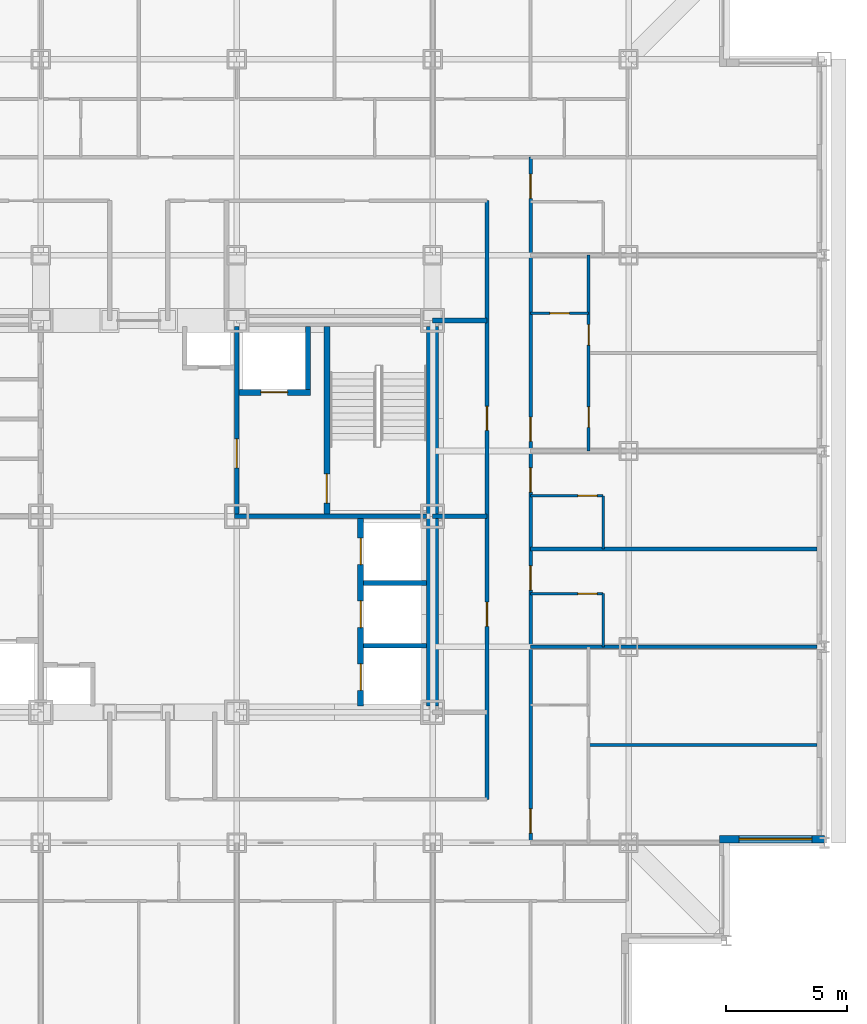
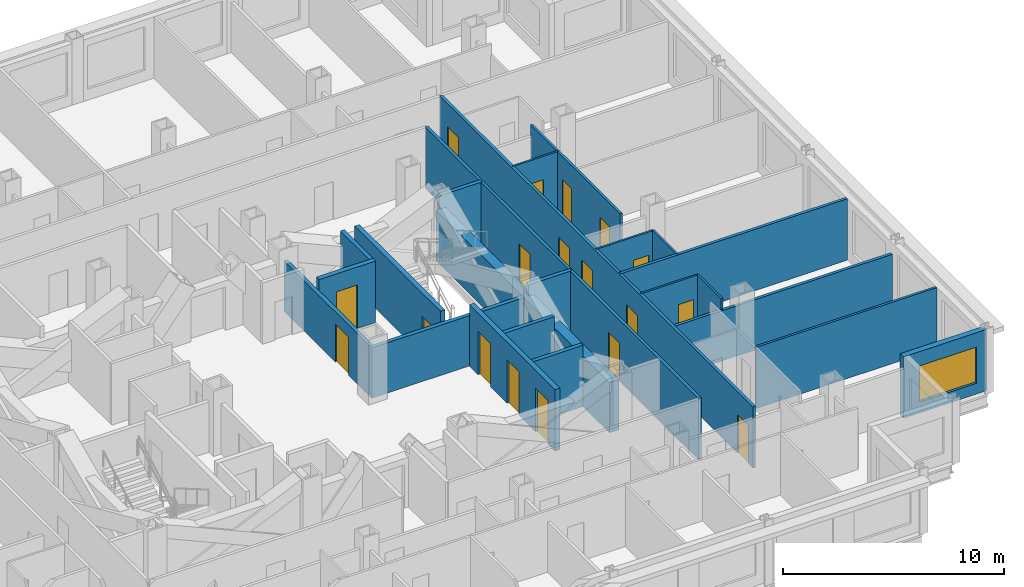
# One storey, part 8 of 12: 23 walls, 18 doors, 1 window, 19 openings.
"""IFC4 building model written with IfcOpenShell, lengths in metres."""

from ifc_helpers import new_model, si_unit, direction, frame, frame_2d, origin, place, context, subcontext, project, spatial, rectangle, extrude, material, layer, layer_set, type_object, element, fill, save


model = new_model("IFC4")

# Units and contexts
model_context = context("Model", 3, precision=1e-05, world=origin(), true_north=direction((0.0, 1.0)))
body_context = subcontext(model_context, "Body", "Model", "MODEL_VIEW")
ifc_project = project(units=[si_unit("LENGTHUNIT", "METRE"), si_unit("AREAUNIT", "SQUARE_METRE"), si_unit("VOLUMEUNIT", "CUBIC_METRE"), si_unit("PLANEANGLEUNIT", "RADIAN"), si_unit("MASSUNIT", "GRAM", prefix="KILO")], contexts=[model_context])

# Site, building, storey
site_placement = place(None, origin())
site = spatial("IfcSite", under=ifc_project, at=site_placement, CompositionType="ELEMENT")
building_placement = place(site_placement, origin())
building = spatial("IfcBuilding", under=site, at=building_placement, Name="Kopane Lantern Tower", CompositionType="ELEMENT")
storey_placement = place(building_placement, frame((0.0, 0.0, 188.39990234375)))
storey = spatial("IfcBuildingStorey", under=building, at=storey_placement, Name="L48", CompositionType="ELEMENT", Elevation=188.39990234375)

# Wall
ifc_material_1 = material(Name="Gypsum board on steel studs", Category="steel")
ifc_layer_1 = layer(ifc_material_1, 0.1201171875)
ifc_layer_set_1 = layer_set([ifc_layer_1], Name="APARTMENT INTERNAL WALL 120")
wall_type_1 = type_object("IfcWallType", Name="APARTMENT INTERNAL WALL 120", PredefinedType="PARTITIONING", material=ifc_layer_set_1)
wall_1_placement = place(storey_placement, frame((46.949951171875, 22.949951171875, 0.0), z_axis=(0.0, 0.0, 1.0), x_axis=(1.0, 0.0, 0.0)))
element("IfcWall", 1, at=wall_1_placement, inside=storey, type_object=wall_type_1, Name="Apartment Internal Wall 120 L48", PredefinedType="PARTITIONING", context=body_context, shape_type="SweptSolid", body=[
    extrude(rectangle(XDim=9.449951171875, YDim=0.1201171875, at=frame_2d((4.72509765625, 0.0))), origin(), (0.0, 0.0, 1.0), 3.39013671875),
])

# Wall, openings, doors
wall_2_placement = place(storey_placement, frame((46.949951171875, 35.10009765625, 0.0), z_axis=(0.0, 0.0, 1.0), x_axis=(0.0, 1.0, 0.0)))
wall_2 = element("IfcWall", 2, at=wall_2_placement, inside=storey, type_object=wall_type_1, Name="Apartment Internal Wall 120 L48", PredefinedType="PARTITIONING", context=body_context, shape_type="SweptSolid", body=[
    extrude(rectangle(XDim=8.099853515625, YDim=0.1201171875, at=frame_2d((4.0498046875, 0.0))), origin(), (0.0, 0.0, 1.0), 3.39013671875),
])
opening_1_placement = place(wall_2_placement, frame((0.97509765625, 0.0, 0.0)))
opening_1 = element("IfcOpeningElement", 3, at=opening_1_placement, cuts=wall_2, Name="Opening L48-056", PredefinedType="OPENING", context=body_context, shape_type="SweptSolid", body=[
    extrude(rectangle(XDim=0.85009765625, YDim=2.10009765625, at=frame_2d((0.425048828125, 1.050048828125))), frame((0.0, 0.070068359375, 0.0), z_axis=(0.0, -1.0, 0.0), x_axis=(1.0, 0.0, 0.0)), (0.0, 0.0, 1.0), 0.14013671875),
])
opening_2_placement = place(wall_2_placement, frame((4.375, 0.0, 0.0)))
opening_2 = element("IfcOpeningElement", 4, at=opening_2_placement, cuts=wall_2, Name="Opening L48-057", PredefinedType="OPENING", context=body_context, shape_type="SweptSolid", body=[
    extrude(rectangle(XDim=0.85009765625, YDim=2.10009765625, at=frame_2d((0.425048828125, 1.050048828125))), frame((0.0, 0.070068359375, 0.0), z_axis=(0.0, -1.0, 0.0), x_axis=(1.0, 0.0, 0.0)), (0.0, 0.0, 1.0), 0.14013671875),
])
ifc_material_2 = material(Name="Timber door set", Category="wood")
door_type_1 = type_object("IfcDoorType", Name="DOOR D4 850x2100", OperationType="SINGLE_SWING_LEFT", PredefinedType="DOOR", material=ifc_material_2)
door_1_placement = place(opening_1_placement, origin())
door_1 = element("IfcDoor", 5, at=door_1_placement, inside=storey, type_object=door_type_1, Name="Door L48-056", OperationType="SINGLE_SWING_LEFT", OverallHeight=2.10009765625, OverallWidth=0.85009765625, PredefinedType="DOOR", context=body_context, shape_type="SweptSolid", body=[
    extrude(rectangle(XDim=0.85009765625, YDim=2.10009765625, at=frame_2d((0.425048828125, 1.050048828125))), frame((0.0, 0.02490234375, 0.0), z_axis=(0.0, -1.0, 0.0), x_axis=(1.0, 0.0, 0.0)), (0.0, 0.0, 1.0), 0.050048828125),
])
fill(opening_1, door_1)
door_2_placement = place(opening_2_placement, origin())
door_2 = element("IfcDoor", 6, at=door_2_placement, inside=storey, type_object=door_type_1, Name="Door L48-057", OperationType="SINGLE_SWING_RIGHT", OverallHeight=2.10009765625, OverallWidth=0.85009765625, PredefinedType="DOOR", context=body_context, shape_type="SweptSolid", body=[
    extrude(rectangle(XDim=0.85009765625, YDim=2.10009765625, at=frame_2d((0.425048828125, 1.050048828125))), frame((0.0, 0.02490234375, 0.0), z_axis=(0.0, -1.0, 0.0), x_axis=(1.0, 0.0, 0.0)), (0.0, 0.0, 1.0), 0.050048828125),
])
fill(opening_2, door_2)

# Wall
ifc_material_3 = material(Name="Moisture-resistant board on steel studs", Category="steel")
ifc_layer_2 = layer(ifc_material_3, 0.10009765625)
ifc_layer_set_2 = layer_set([ifc_layer_2], Name="BATHROOM WALL 100")
wall_type_2 = type_object("IfcWallType", Name="BATHROOM WALL 100", PredefinedType="PARTITIONING", material=ifc_layer_set_2)
wall_3_placement = place(storey_placement, frame((47.550048828125, 27.0, 0.0), z_axis=(0.0, 0.0, 1.0), x_axis=(0.0, 1.0, 0.0)))
element("IfcWall", 7, at=wall_3_placement, inside=storey, type_object=wall_type_2, Name="Bathroom Wall 100 L48", PredefinedType="PARTITIONING", context=body_context, shape_type="SweptSolid", body=[
    extrude(rectangle(XDim=2.199951171875, YDim=0.10009765625, at=frame_2d((1.10009765625, 0.0))), origin(), (0.0, 0.0, 1.0), 3.39013671875),
])

# Wall, opening, door
wall_4_placement = place(storey_placement, frame((44.550048828125, 29.199951171875, 0.0), z_axis=(0.0, 0.0, 1.0), x_axis=(1.0, 0.0, 0.0)))
wall_4 = element("IfcWall", 8, at=wall_4_placement, inside=storey, type_object=wall_type_2, Name="Bathroom Wall 100 L48", PredefinedType="PARTITIONING", context=body_context, shape_type="SweptSolid", body=[
    extrude(rectangle(XDim=3.0, YDim=0.10009765625, at=frame_2d((1.5, 0.0))), origin(), (0.0, 0.0, 1.0), 3.39013671875),
])
opening_3_placement = place(wall_4_placement, frame((1.949951171875, 0.0, 0.0)))
opening_3 = element("IfcOpeningElement", 9, at=opening_3_placement, cuts=wall_4, Name="Opening L48-050", PredefinedType="OPENING", context=body_context, shape_type="SweptSolid", body=[
    extrude(rectangle(XDim=0.800048828125, YDim=2.10009765625, at=frame_2d((0.39990234375, 1.050048828125))), frame((0.0, 0.06005859375, 0.0), z_axis=(0.0, -1.0, 0.0), x_axis=(1.0, 0.0, 0.0)), (0.0, 0.0, 1.0), 0.1201171875),
])
ifc_material_4 = material(Name="Timber door set", Category="wood")
door_type_2 = type_object("IfcDoorType", Name="DOOR D2 800x2100", OperationType="SINGLE_SWING_LEFT", PredefinedType="DOOR", material=ifc_material_4)
door_3_placement = place(opening_3_placement, origin())
door_3 = element("IfcDoor", 10, at=door_3_placement, inside=storey, type_object=door_type_2, Name="Door L48-050", OperationType="SINGLE_SWING_LEFT", OverallHeight=2.10009765625, OverallWidth=0.800048828125, PredefinedType="DOOR", context=body_context, shape_type="SweptSolid", body=[
    extrude(rectangle(XDim=0.800048828125, YDim=2.10009765625, at=frame_2d((0.39990234375, 1.050048828125))), frame((0.0, 0.02490234375, 0.0), z_axis=(0.0, -1.0, 0.0), x_axis=(1.0, 0.0, 0.0)), (0.0, 0.0, 1.0), 0.050048828125),
])
fill(opening_3, door_3)

# Wall
wall_5_placement = place(storey_placement, frame((47.550048828125, 31.050048828125, 0.0), z_axis=(0.0, 0.0, 1.0), x_axis=(0.0, 1.0, 0.0)))
element("IfcWall", 11, at=wall_5_placement, inside=storey, type_object=wall_type_2, Name="Bathroom Wall 100 L48", PredefinedType="PARTITIONING", context=body_context, shape_type="SweptSolid", body=[
    extrude(rectangle(XDim=2.199951171875, YDim=0.10009765625, at=frame_2d((1.10009765625, 0.0))), origin(), (0.0, 0.0, 1.0), 3.39013671875),
])

# Wall, opening, door
wall_6_placement = place(storey_placement, frame((44.550048828125, 33.25, 0.0), z_axis=(0.0, 0.0, 1.0), x_axis=(1.0, 0.0, 0.0)))
wall_6 = element("IfcWall", 12, at=wall_6_placement, inside=storey, type_object=wall_type_2, Name="Bathroom Wall 100 L48", PredefinedType="PARTITIONING", context=body_context, shape_type="SweptSolid", body=[
    extrude(rectangle(XDim=3.0, YDim=0.10009765625, at=frame_2d((1.5, 0.0))), origin(), (0.0, 0.0, 1.0), 3.39013671875),
])
opening_4_placement = place(wall_6_placement, frame((1.949951171875, 0.0, 0.0)))
opening_4 = element("IfcOpeningElement", 13, at=opening_4_placement, cuts=wall_6, Name="Opening L48-052", PredefinedType="OPENING", context=body_context, shape_type="SweptSolid", body=[
    extrude(rectangle(XDim=0.800048828125, YDim=2.10009765625, at=frame_2d((0.39990234375, 1.050048828125))), frame((0.0, 0.06005859375, 0.0), z_axis=(0.0, -1.0, 0.0), x_axis=(1.0, 0.0, 0.0)), (0.0, 0.0, 1.0), 0.1201171875),
])
door_4_placement = place(opening_4_placement, origin())
door_4 = element("IfcDoor", 14, at=door_4_placement, inside=storey, type_object=door_type_2, Name="Door L48-052", OperationType="SINGLE_SWING_LEFT", OverallHeight=2.10009765625, OverallWidth=0.800048828125, PredefinedType="DOOR", context=body_context, shape_type="SweptSolid", body=[
    extrude(rectangle(XDim=0.800048828125, YDim=2.10009765625, at=frame_2d((0.39990234375, 1.050048828125))), frame((0.0, 0.02490234375, 0.0), z_axis=(0.0, -1.0, 0.0), x_axis=(1.0, 0.0, 0.0)), (0.0, 0.0, 1.0), 0.050048828125),
])
fill(opening_4, door_4)

wall_7_placement = place(storey_placement, frame((44.550048828125, 40.800048828125, 0.0), z_axis=(0.0, 0.0, 1.0), x_axis=(1.0, 0.0, 0.0)))
wall_7 = element("IfcWall", 15, at=wall_7_placement, inside=storey, type_object=wall_type_2, Name="Bathroom Wall 100 L48", PredefinedType="PARTITIONING", context=body_context, shape_type="SweptSolid", body=[
    extrude(rectangle(XDim=2.39990234375, YDim=0.10009765625, at=frame_2d((1.199951171875, 0.0))), origin(), (0.0, 0.0, 1.0), 3.39013671875),
])
opening_5_placement = place(wall_7_placement, frame((0.800048828125, 0.0, 0.0)))
opening_5 = element("IfcOpeningElement", 16, at=opening_5_placement, cuts=wall_7, Name="Opening L48-054", PredefinedType="OPENING", context=body_context, shape_type="SweptSolid", body=[
    extrude(rectangle(XDim=0.800048828125, YDim=2.10009765625, at=frame_2d((0.39990234375, 1.050048828125))), frame((0.0, 0.06005859375, 0.0), z_axis=(0.0, -1.0, 0.0), x_axis=(1.0, 0.0, 0.0)), (0.0, 0.0, 1.0), 0.1201171875),
])
door_5_placement = place(opening_5_placement, origin())
door_5 = element("IfcDoor", 17, at=door_5_placement, inside=storey, type_object=door_type_2, Name="Door L48-054", OperationType="SINGLE_SWING_LEFT", OverallHeight=2.10009765625, OverallWidth=0.800048828125, PredefinedType="DOOR", context=body_context, shape_type="SweptSolid", body=[
    extrude(rectangle(XDim=0.800048828125, YDim=2.10009765625, at=frame_2d((0.39990234375, 1.050048828125))), frame((0.0, 0.02490234375, 0.0), z_axis=(0.0, -1.0, 0.0), x_axis=(1.0, 0.0, 0.0)), (0.0, 0.0, 1.0), 0.050048828125),
])
fill(opening_5, door_5)

# Wall
ifc_material_5 = material(Name="Gypsum shaft wall EI 120", Category="gypsum")
ifc_layer_3 = layer(ifc_material_5, 0.5)
ifc_layer_set_3 = layer_set([ifc_layer_3], Name="CORE PERIMETER WALL 500 EI 120")
wall_type_3 = type_object("IfcWallType", Name="CORE PERIMETER WALL 500 EI 120", PredefinedType="SOLIDWALL", material=ifc_layer_set_3)
wall_8_placement = place(storey_placement, frame((40.5, 24.550048828125, 0.0), z_axis=(0.0, 0.0, 1.0), x_axis=(0.0, 1.0, 0.0)))
element("IfcWall", 18, at=wall_8_placement, inside=storey, type_object=wall_type_3, Name="Core shaft wall L48 PE", PredefinedType="SOLIDWALL", context=body_context, shape_type="SweptSolid", body=[
    extrude(rectangle(XDim=15.699951171875, YDim=0.5, at=frame_2d((7.85009765625, 0.0))), origin(), (0.0, 0.0, 1.0), 2.77783203125),
])

# Wall, openings, doors
ifc_material_6 = material(Name="Gypsum shaft wall EI 120", Category="gypsum")
ifc_layer_4 = layer(ifc_material_6, 0.25)
ifc_layer_set_4 = layer_set([ifc_layer_4], Name="CORE SHAFT WALL 250 EI 120")
wall_type_4 = type_object("IfcWallType", Name="CORE SHAFT WALL 250 EI 120", PredefinedType="SOLIDWALL", material=ifc_layer_set_4)
wall_9_placement = place(storey_placement, frame((37.52490234375, 24.550048828125, 0.0), z_axis=(0.0, 0.0, 1.0), x_axis=(0.0, 1.0, 0.0)))
wall_9 = element("IfcWall", 19, at=wall_9_placement, inside=storey, type_object=wall_type_4, Name="Core shaft wall L48 XLR", PredefinedType="SOLIDWALL", context=body_context, shape_type="SweptSolid", body=[
    extrude(rectangle(XDim=7.75, YDim=0.25, at=frame_2d((3.875, 0.0))), origin(), (0.0, 0.0, 1.0), 3.39013671875),
])
opening_6_placement = place(wall_9_placement, frame((0.64990234375, 0.0, 0.0)))
opening_6 = element("IfcOpeningElement", 20, at=opening_6_placement, cuts=wall_9, Name="Opening 48.LD-LR1", PredefinedType="OPENING", context=body_context, shape_type="SweptSolid", body=[
    extrude(rectangle(XDim=1.10009765625, YDim=2.39990234375, at=frame_2d((0.550048828125, 1.199951171875))), frame((0.0, 0.135009765625, 0.0), z_axis=(0.0, -1.0, 0.0), x_axis=(1.0, 0.0, 0.0)), (0.0, 0.0, 1.0), 0.27001953125),
])
opening_7_placement = place(wall_9_placement, frame((3.25, 0.0, 0.0)))
opening_7 = element("IfcOpeningElement", 21, at=opening_7_placement, cuts=wall_9, Name="Opening 48.LD-LR2", PredefinedType="OPENING", context=body_context, shape_type="SweptSolid", body=[
    extrude(rectangle(XDim=1.10009765625, YDim=2.39990234375, at=frame_2d((0.550048828125, 1.199951171875))), frame((0.0, 0.135009765625, 0.0), z_axis=(0.0, -1.0, 0.0), x_axis=(1.0, 0.0, 0.0)), (0.0, 0.0, 1.0), 0.27001953125),
])
opening_8_placement = place(wall_9_placement, frame((5.85009765625, 0.0, 0.0)))
opening_8 = element("IfcOpeningElement", 22, at=opening_8_placement, cuts=wall_9, Name="Opening 48.LD-LR3", PredefinedType="OPENING", context=body_context, shape_type="SweptSolid", body=[
    extrude(rectangle(XDim=1.10009765625, YDim=2.39990234375, at=frame_2d((0.550048828125, 1.199951171875))), frame((0.0, 0.135009765625, 0.0), z_axis=(0.0, -1.0, 0.0), x_axis=(1.0, 0.0, 0.0)), (0.0, 0.0, 1.0), 0.27001953125),
])
ifc_material_7 = material(Name="Steel door set", Category="steel")
door_type_3 = type_object("IfcDoorType", Name="LIFT LANDING DOOR 1100x2400 FD60", OperationType="DOUBLE_DOOR_SLIDING", PredefinedType="DOOR", material=ifc_material_7)
door_6_placement = place(opening_6_placement, origin())
door_6 = element("IfcDoor", 23, at=door_6_placement, inside=storey, type_object=door_type_3, Name="Landing door LR1 L48", OperationType="DOUBLE_DOOR_SLIDING", OverallHeight=2.39990234375, OverallWidth=1.10009765625, PredefinedType="DOOR", context=body_context, shape_type="SweptSolid", body=[
    extrude(rectangle(XDim=1.10009765625, YDim=2.39990234375, at=frame_2d((0.550048828125, 1.199951171875))), frame((0.0, 0.02490234375, 0.0), z_axis=(0.0, -1.0, 0.0), x_axis=(1.0, 0.0, 0.0)), (0.0, 0.0, 1.0), 0.050048828125),
])
fill(opening_6, door_6)
door_7_placement = place(opening_7_placement, origin())
door_7 = element("IfcDoor", 24, at=door_7_placement, inside=storey, type_object=door_type_3, Name="Landing door LR2 L48", OperationType="DOUBLE_DOOR_SLIDING", OverallHeight=2.39990234375, OverallWidth=1.10009765625, PredefinedType="DOOR", context=body_context, shape_type="SweptSolid", body=[
    extrude(rectangle(XDim=1.10009765625, YDim=2.39990234375, at=frame_2d((0.550048828125, 1.199951171875))), frame((0.0, 0.02490234375, 0.0), z_axis=(0.0, -1.0, 0.0), x_axis=(1.0, 0.0, 0.0)), (0.0, 0.0, 1.0), 0.050048828125),
])
fill(opening_7, door_7)
door_8_placement = place(opening_8_placement, origin())
door_8 = element("IfcDoor", 25, at=door_8_placement, inside=storey, type_object=door_type_3, Name="Landing door LR3 L48", OperationType="DOUBLE_DOOR_SLIDING", OverallHeight=2.39990234375, OverallWidth=1.10009765625, PredefinedType="DOOR", context=body_context, shape_type="SweptSolid", body=[
    extrude(rectangle(XDim=1.10009765625, YDim=2.39990234375, at=frame_2d((0.550048828125, 1.199951171875))), frame((0.0, 0.02490234375, 0.0), z_axis=(0.0, -1.0, 0.0), x_axis=(1.0, 0.0, 0.0)), (0.0, 0.0, 1.0), 0.050048828125),
])
fill(opening_8, door_8)

# Wall, opening, door
wall_10_placement = place(storey_placement, frame((36.125, 32.5, 0.0), z_axis=(0.0, 0.0, 1.0), x_axis=(0.0, 1.0, 0.0)))
wall_10 = element("IfcWall", 26, at=wall_10_placement, inside=storey, type_object=wall_type_4, Name="Core shaft wall L48 XST2", PredefinedType="SOLIDWALL", context=body_context, shape_type="SweptSolid", body=[
    extrude(rectangle(XDim=7.75, YDim=0.25, at=frame_2d((3.875, 0.0))), origin(), (0.0, 0.0, 1.0), 3.39013671875),
])
opening_9_placement = place(wall_10_placement, frame((0.449951171875, 0.0, 0.0)))
opening_9 = element("IfcOpeningElement", 27, at=opening_9_placement, cuts=wall_10, Name="Opening 48.SD2", PredefinedType="OPENING", context=body_context, shape_type="SweptSolid", body=[
    extrude(rectangle(XDim=1.199951171875, YDim=2.10009765625, at=frame_2d((0.60009765625, 1.050048828125))), frame((0.0, 0.135009765625, 0.0), z_axis=(0.0, -1.0, 0.0), x_axis=(1.0, 0.0, 0.0)), (0.0, 0.0, 1.0), 0.27001953125),
])
ifc_material_8 = material(Name="Steel door set", Category="steel")
door_type_4 = type_object("IfcDoorType", Name="STAIR DOOR 1200x2100 FD60S", OperationType="SINGLE_SWING_LEFT", PredefinedType="DOOR", material=ifc_material_8)
door_9_placement = place(opening_9_placement, origin())
door_9 = element("IfcDoor", 28, at=door_9_placement, inside=storey, type_object=door_type_4, Name="Stair door ST2 L48", OperationType="SINGLE_SWING_RIGHT", OverallHeight=2.10009765625, OverallWidth=1.199951171875, PredefinedType="DOOR", context=body_context, shape_type="SweptSolid", body=[
    extrude(rectangle(XDim=1.199951171875, YDim=2.10009765625, at=frame_2d((0.60009765625, 1.050048828125))), frame((0.0, 0.02490234375, 0.0), z_axis=(0.0, -1.0, 0.0), x_axis=(1.0, 0.0, 0.0)), (0.0, 0.0, 1.0), 0.050048828125),
])
fill(opening_9, door_9)

wall_11_placement = place(storey_placement, frame((32.5, 37.52490234375, 0.0), z_axis=(0.0, 0.0, 1.0), x_axis=(1.0, 0.0, 0.0)))
wall_11 = element("IfcWall", 29, at=wall_11_placement, inside=storey, type_object=wall_type_4, Name="Core shaft wall L48 YLF2", PredefinedType="SOLIDWALL", context=body_context, shape_type="SweptSolid", body=[
    extrude(rectangle(XDim=2.949951171875, YDim=0.25, at=frame_2d((1.47509765625, 0.0))), origin(), (0.0, 0.0, 1.0), 3.39013671875),
])
opening_10_placement = place(wall_11_placement, frame((0.89990234375, 0.0, 0.0)))
opening_10 = element("IfcOpeningElement", 30, at=opening_10_placement, cuts=wall_11, Name="Opening 48.LD-LF2", PredefinedType="OPENING", context=body_context, shape_type="SweptSolid", body=[
    extrude(rectangle(XDim=1.10009765625, YDim=2.39990234375, at=frame_2d((0.550048828125, 1.199951171875))), frame((0.0, 0.135009765625, 0.0), z_axis=(0.0, -1.0, 0.0), x_axis=(1.0, 0.0, 0.0)), (0.0, 0.0, 1.0), 0.27001953125),
])
door_10_placement = place(opening_10_placement, origin())
door_10 = element("IfcDoor", 31, at=door_10_placement, inside=storey, type_object=door_type_3, Name="Landing door LF2 L48", OperationType="DOUBLE_DOOR_SLIDING", OverallHeight=2.39990234375, OverallWidth=1.10009765625, PredefinedType="DOOR", context=body_context, shape_type="SweptSolid", body=[
    extrude(rectangle(XDim=1.10009765625, YDim=2.39990234375, at=frame_2d((0.550048828125, 1.199951171875))), frame((0.0, 0.02490234375, 0.0), z_axis=(0.0, -1.0, 0.0), x_axis=(1.0, 0.0, 0.0)), (0.0, 0.0, 1.0), 0.050048828125),
])
fill(opening_10, door_10)

# Wall, openings, doors
ifc_material_9 = material(Name="Gypsum board on steel studs", Category="steel")
ifc_layer_5 = layer(ifc_material_9, 0.14990234375)
ifc_layer_set_5 = layer_set([ifc_layer_5], Name="CORRIDOR WALL 150 EI 60")
wall_type_5 = type_object("IfcWallType", Name="CORRIDOR WALL 150 EI 60", PredefinedType="PARTITIONING", material=ifc_layer_set_5)
wall_12_placement = place(storey_placement, frame((44.550048828125, 18.89990234375, 0.0), z_axis=(0.0, 0.0, 1.0), x_axis=(0.0, 1.0, 0.0)))
wall_12 = element("IfcWall", 32, at=wall_12_placement, inside=storey, type_object=wall_type_5, Name="Corridor Wall 150 Ei 60 L48", PredefinedType="PARTITIONING", context=body_context, shape_type="SweptSolid", body=[
    extrude(rectangle(XDim=28.35009765625, YDim=0.14990234375, at=frame_2d((14.175048828125, 0.0))), origin(), (0.0, 0.0, 1.0), 3.39013671875),
])
opening_11_placement = place(wall_12_placement, frame((0.39990234375, 0.0, 0.0)))
opening_11 = element("IfcOpeningElement", 33, at=opening_11_placement, cuts=wall_12, Name="Opening L48-047", PredefinedType="OPENING", context=body_context, shape_type="SweptSolid", body=[
    extrude(rectangle(XDim=1.0, YDim=2.10009765625, at=frame_2d((0.5, 1.050048828125))), frame((0.0, 0.0849609375, 0.0), z_axis=(0.0, -1.0, 0.0), x_axis=(1.0, 0.0, 0.0)), (0.0, 0.0, 1.0), 0.169921875),
])
opening_12_placement = place(wall_12_placement, frame((10.449951171875, 0.0, 0.0)))
opening_12 = element("IfcOpeningElement", 34, at=opening_12_placement, cuts=wall_12, Name="Opening L48-051", PredefinedType="OPENING", context=body_context, shape_type="SweptSolid", body=[
    extrude(rectangle(XDim=1.0, YDim=2.10009765625, at=frame_2d((0.5, 1.050048828125))), frame((0.0, 0.0849609375, 0.0), z_axis=(0.0, -1.0, 0.0), x_axis=(1.0, 0.0, 0.0)), (0.0, 0.0, 1.0), 0.169921875),
])
opening_13_placement = place(wall_12_placement, frame((14.5, 0.0, 0.0)))
opening_13 = element("IfcOpeningElement", 35, at=opening_13_placement, cuts=wall_12, Name="Opening L48-053", PredefinedType="OPENING", context=body_context, shape_type="SweptSolid", body=[
    extrude(rectangle(XDim=1.0, YDim=2.10009765625, at=frame_2d((0.5, 1.050048828125))), frame((0.0, 0.0849609375, 0.0), z_axis=(0.0, -1.0, 0.0), x_axis=(1.0, 0.0, 0.0)), (0.0, 0.0, 1.0), 0.169921875),
])
opening_14_placement = place(wall_12_placement, frame((16.60009765625, 0.0, 0.0)))
opening_14 = element("IfcOpeningElement", 36, at=opening_14_placement, cuts=wall_12, Name="Opening L48-055", PredefinedType="OPENING", context=body_context, shape_type="SweptSolid", body=[
    extrude(rectangle(XDim=1.0, YDim=2.10009765625, at=frame_2d((0.5, 1.050048828125))), frame((0.0, 0.0849609375, 0.0), z_axis=(0.0, -1.0, 0.0), x_axis=(1.0, 0.0, 0.0)), (0.0, 0.0, 1.0), 0.169921875),
])
opening_15_placement = place(wall_12_placement, frame((26.64990234375, 0.0, 0.0)))
opening_15 = element("IfcOpeningElement", 37, at=opening_15_placement, cuts=wall_12, Name="Opening L48-059", PredefinedType="OPENING", context=body_context, shape_type="SweptSolid", body=[
    extrude(rectangle(XDim=1.0, YDim=2.10009765625, at=frame_2d((0.5, 1.050048828125))), frame((0.0, 0.0849609375, 0.0), z_axis=(0.0, -1.0, 0.0), x_axis=(1.0, 0.0, 0.0)), (0.0, 0.0, 1.0), 0.169921875),
])
ifc_material_10 = material(Name="Steel door set", Category="steel")
door_type_5 = type_object("IfcDoorType", Name="DOOR D3 1000x2100 FD30S", OperationType="SINGLE_SWING_LEFT", PredefinedType="DOOR", material=ifc_material_10)
door_11_placement = place(opening_11_placement, origin())
door_11 = element("IfcDoor", 38, at=door_11_placement, inside=storey, type_object=door_type_5, Name="Door L48-047", OperationType="SINGLE_SWING_RIGHT", OverallHeight=2.10009765625, OverallWidth=1.0, PredefinedType="DOOR", context=body_context, shape_type="SweptSolid", body=[
    extrude(rectangle(XDim=1.0, YDim=2.10009765625, at=frame_2d((0.5, 1.050048828125))), frame((0.0, 0.02490234375, 0.0), z_axis=(0.0, -1.0, 0.0), x_axis=(1.0, 0.0, 0.0)), (0.0, 0.0, 1.0), 0.050048828125),
])
fill(opening_11, door_11)
door_12_placement = place(opening_12_placement, origin())
door_12 = element("IfcDoor", 39, at=door_12_placement, inside=storey, type_object=door_type_5, Name="Door L48-051", OperationType="SINGLE_SWING_RIGHT", OverallHeight=2.10009765625, OverallWidth=1.0, PredefinedType="DOOR", context=body_context, shape_type="SweptSolid", body=[
    extrude(rectangle(XDim=1.0, YDim=2.10009765625, at=frame_2d((0.5, 1.050048828125))), frame((0.0, 0.02490234375, 0.0), z_axis=(0.0, -1.0, 0.0), x_axis=(1.0, 0.0, 0.0)), (0.0, 0.0, 1.0), 0.050048828125),
])
fill(opening_12, door_12)
door_13_placement = place(opening_13_placement, origin())
door_13 = element("IfcDoor", 40, at=door_13_placement, inside=storey, type_object=door_type_5, Name="Door L48-053", OperationType="SINGLE_SWING_RIGHT", OverallHeight=2.10009765625, OverallWidth=1.0, PredefinedType="DOOR", context=body_context, shape_type="SweptSolid", body=[
    extrude(rectangle(XDim=1.0, YDim=2.10009765625, at=frame_2d((0.5, 1.050048828125))), frame((0.0, 0.02490234375, 0.0), z_axis=(0.0, -1.0, 0.0), x_axis=(1.0, 0.0, 0.0)), (0.0, 0.0, 1.0), 0.050048828125),
])
fill(opening_13, door_13)
door_14_placement = place(opening_14_placement, origin())
door_14 = element("IfcDoor", 41, at=door_14_placement, inside=storey, type_object=door_type_5, Name="Door L48-055", OperationType="SINGLE_SWING_RIGHT", OverallHeight=2.10009765625, OverallWidth=1.0, PredefinedType="DOOR", context=body_context, shape_type="SweptSolid", body=[
    extrude(rectangle(XDim=1.0, YDim=2.10009765625, at=frame_2d((0.5, 1.050048828125))), frame((0.0, 0.02490234375, 0.0), z_axis=(0.0, -1.0, 0.0), x_axis=(1.0, 0.0, 0.0)), (0.0, 0.0, 1.0), 0.050048828125),
])
fill(opening_14, door_14)
door_15_placement = place(opening_15_placement, origin())
door_15 = element("IfcDoor", 42, at=door_15_placement, inside=storey, type_object=door_type_5, Name="Door L48-059", OperationType="SINGLE_SWING_RIGHT", OverallHeight=2.10009765625, OverallWidth=1.0, PredefinedType="DOOR", context=body_context, shape_type="SweptSolid", body=[
    extrude(rectangle(XDim=1.0, YDim=2.10009765625, at=frame_2d((0.5, 1.050048828125))), frame((0.0, 0.02490234375, 0.0), z_axis=(0.0, -1.0, 0.0), x_axis=(1.0, 0.0, 0.0)), (0.0, 0.0, 1.0), 0.050048828125),
])
fill(opening_15, door_15)

wall_13_placement = place(storey_placement, frame((42.75, 20.699951171875, 0.0), z_axis=(0.0, 0.0, 1.0), x_axis=(0.0, 1.0, 0.0)))
wall_13 = element("IfcWall", 43, at=wall_13_placement, inside=storey, type_object=wall_type_5, Name="Corridor Wall 150 Ei 60 L48", PredefinedType="PARTITIONING", context=body_context, shape_type="SweptSolid", body=[
    extrude(rectangle(XDim=24.75, YDim=0.14990234375, at=frame_2d((12.375, 0.0))), origin(), (0.0, 0.0, 1.0), 3.39013671875),
])
opening_16_placement = place(wall_13_placement, frame((7.14990234375, 0.0, 0.0)))
opening_16 = element("IfcOpeningElement", 44, at=opening_16_placement, cuts=wall_13, Name="Opening L48-003", PredefinedType="OPENING", context=body_context, shape_type="SweptSolid", body=[
    extrude(rectangle(XDim=1.0, YDim=2.10009765625, at=frame_2d((0.5, 1.050048828125))), frame((0.0, 0.0849609375, 0.0), z_axis=(0.0, -1.0, 0.0), x_axis=(1.0, 0.0, 0.0)), (0.0, 0.0, 1.0), 0.169921875),
])
opening_17_placement = place(wall_13_placement, frame((15.25, 0.0, 0.0)))
opening_17 = element("IfcOpeningElement", 45, at=opening_17_placement, cuts=wall_13, Name="Opening L48-004", PredefinedType="OPENING", context=body_context, shape_type="SweptSolid", body=[
    extrude(rectangle(XDim=1.0, YDim=2.10009765625, at=frame_2d((0.5, 1.050048828125))), frame((0.0, 0.0849609375, 0.0), z_axis=(0.0, -1.0, 0.0), x_axis=(1.0, 0.0, 0.0)), (0.0, 0.0, 1.0), 0.169921875),
])
ifc_material_11 = material(Name="Steel door set", Category="steel")
door_type_6 = type_object("IfcDoorType", Name="DOOR D5 1000x2100 FD60", OperationType="SINGLE_SWING_LEFT", PredefinedType="DOOR", material=ifc_material_11)
door_16_placement = place(opening_16_placement, origin())
door_16 = element("IfcDoor", 46, at=door_16_placement, inside=storey, type_object=door_type_6, Name="Door L48-003", OperationType="SINGLE_SWING_LEFT", OverallHeight=2.10009765625, OverallWidth=1.0, PredefinedType="DOOR", context=body_context, shape_type="SweptSolid", body=[
    extrude(rectangle(XDim=1.0, YDim=2.10009765625, at=frame_2d((0.5, 1.050048828125))), frame((0.0, 0.02490234375, 0.0), z_axis=(0.0, -1.0, 0.0), x_axis=(1.0, 0.0, 0.0)), (0.0, 0.0, 1.0), 0.050048828125),
])
fill(opening_16, door_16)
door_17_placement = place(opening_17_placement, origin())
door_17 = element("IfcDoor", 47, at=door_17_placement, inside=storey, type_object=door_type_6, Name="Door L48-004", OperationType="SINGLE_SWING_RIGHT", OverallHeight=2.10009765625, OverallWidth=1.0, PredefinedType="DOOR", context=body_context, shape_type="SweptSolid", body=[
    extrude(rectangle(XDim=1.0, YDim=2.10009765625, at=frame_2d((0.5, 1.050048828125))), frame((0.0, 0.02490234375, 0.0), z_axis=(0.0, -1.0, 0.0), x_axis=(1.0, 0.0, 0.0)), (0.0, 0.0, 1.0), 0.050048828125),
])
fill(opening_17, door_17)

# Walls
ifc_material_12 = material(Name="Gypsum board on steel studs", Category="steel")
ifc_layer_6 = layer(ifc_material_12, 0.14990234375)
ifc_layer_set_6 = layer_set([ifc_layer_6], Name="DEMISING WALL 150 EI 60")
wall_type_6 = type_object("IfcWallType", Name="DEMISING WALL 150 EI 60", PredefinedType="PARTITIONING", material=ifc_layer_set_6)
wall_14_placement = place(storey_placement, frame((44.550048828125, 27.0, 0.0), z_axis=(0.0, 0.0, 1.0), x_axis=(1.0, 0.0, 0.0)))
element("IfcWall", 48, at=wall_14_placement, inside=storey, type_object=wall_type_6, Name="Demising Wall 150 Ei 60 L48", PredefinedType="PARTITIONING", context=body_context, shape_type="SweptSolid", body=[
    extrude(rectangle(XDim=11.849853515625, YDim=0.14990234375, at=frame_2d((5.9248046875, 0.0))), origin(), (0.0, 0.0, 1.0), 2.77783203125),
])
wall_15_placement = place(storey_placement, frame((44.550048828125, 31.050048828125, 0.0), z_axis=(0.0, 0.0, 1.0), x_axis=(1.0, 0.0, 0.0)))
element("IfcWall", 49, at=wall_15_placement, inside=storey, type_object=wall_type_6, Name="Demising Wall 150 Ei 60 L48", PredefinedType="PARTITIONING", context=body_context, shape_type="SweptSolid", body=[
    extrude(rectangle(XDim=11.849853515625, YDim=0.14990234375, at=frame_2d((5.9248046875, 0.0))), origin(), (0.0, 0.0, 1.0), 3.39013671875),
])

# Wall, opening, window
ifc_material_13 = material(Name="Terracotta rainscreen on light steel framing", Category="masonry")
ifc_layer_7 = layer(ifc_material_13, 0.300048828125)
ifc_layer_set_7 = layer_set([ifc_layer_7], Name="EXTERNAL WALL EW1 300 TERRACOTTA")
wall_type_7 = type_object("IfcWallType", Name="EXTERNAL WALL EW1 300 TERRACOTTA", PredefinedType="SOLIDWALL", material=ifc_layer_set_7)
wall_16_placement = place(storey_placement, frame((52.35009765625, 19.050048828125, 0.0), z_axis=(0.0, 0.0, 1.0), x_axis=(1.0, 0.0, 0.0)))
wall_16 = element("IfcWall", 50, at=wall_16_placement, inside=storey, type_object=wall_type_7, Name="External wall S L48", PredefinedType="SOLIDWALL", context=body_context, shape_type="SweptSolid", body=[
    extrude(rectangle(XDim=4.349853515625, YDim=0.300048828125, at=frame_2d((2.1748046875, 0.0))), origin(), (0.0, 0.0, 1.0), 3.39013671875),
])
opening_18_placement = place(wall_16_placement, frame((0.824951171875, 0.0, 0.60009765625)))
opening_18 = element("IfcOpeningElement", 51, at=opening_18_placement, cuts=wall_16, Name="Opening WR300200", PredefinedType="OPENING", context=body_context, shape_type="SweptSolid", body=[
    extrude(rectangle(XDim=3.0, YDim=2.0, at=frame_2d((1.5, 1.0))), frame((0.0, 0.159912109375, 0.0), z_axis=(0.0, -1.0, 0.0), x_axis=(1.0, 0.0, 0.0)), (0.0, 0.0, 1.0), 0.320068359375),
])
ifc_material_14 = material(Name="Aluminium and clear glass", Category="aluminium")
window_type = type_object("IfcWindowType", Name="RIBBON WINDOW WR300200 3000x2000", PartitioningType="SINGLE_PANEL", PredefinedType="WINDOW", material=ifc_material_14)
window_placement = place(opening_18_placement, origin())
window = element("IfcWindow", 52, at=window_placement, inside=storey, type_object=window_type, Name="Window S L48", OverallHeight=2.0, OverallWidth=3.0, PartitioningType="SINGLE_PANEL", PredefinedType="WINDOW", context=body_context, shape_type="SweptSolid", body=[
    extrude(rectangle(XDim=3.0, YDim=2.0, at=frame_2d((1.5, 1.0))), frame((0.0, 0.030029296875, 0.0), z_axis=(0.0, -1.0, 0.0), x_axis=(1.0, 0.0, 0.0)), (0.0, 0.0, 1.0), 0.06005859375),
])
fill(opening_18, window)

# Walls
ifc_material_15 = material(Name="Concrete masonry", Category="masonry")
ifc_layer_8 = layer(ifc_material_15, 0.199951171875)
ifc_layer_set_8 = layer_set([ifc_layer_8], Name="PLANT ROOM WALL 200 EI 120")
wall_type_8 = type_object("IfcWallType", Name="PLANT ROOM WALL 200 EI 120", PredefinedType="SOLIDWALL", material=ifc_layer_set_8)
for number, where, z_axis, x_axis, name in (
    (53, (40.5, 32.39990234375, 0.0), (0.0, 0.0, 1.0), (1.0, 0.0, 0.0), "Plant Room Wall 200 Ei 120 L48"),
    (54, (40.5, 40.5, 0.0), (0.0, 0.0, 1.0), (1.0, 0.0, 0.0), "Plant Room Wall 200 Ei 120 L48"),
):
    element("IfcWall", number, at=place(storey_placement, frame(where, z_axis=z_axis, x_axis=x_axis)), inside=storey, type_object=wall_type_8, Name=name, PredefinedType="SOLIDWALL", context=body_context, shape_type="SweptSolid", body=[
        extrude(rectangle(XDim=2.25, YDim=0.199951171875, at=frame_2d((1.125, 0.0))), origin(), (0.0, 0.0, 1.0), 3.39013671875),
    ])
ifc_material_16 = material(Name="Gypsum shaft wall EI 120", Category="gypsum")
ifc_layer_9 = layer(ifc_material_16, 0.199951171875)
ifc_layer_set_9 = layer_set([ifc_layer_9], Name="SHAFT WALL 200 EI 120")
wall_type_9 = type_object("IfcWallType", Name="SHAFT WALL 200 EI 120", PredefinedType="SOLIDWALL", material=ifc_layer_set_9)
wall_17_placement = place(storey_placement, frame((32.300048828125, 32.39990234375, 0.0), z_axis=(0.0, 0.0, 1.0), x_axis=(1.0, 0.0, 0.0)))
element("IfcWall", 55, at=wall_17_placement, inside=storey, type_object=wall_type_9, Name="Core shaft wall L48 Y324E", PredefinedType="SOLIDWALL", context=body_context, shape_type="SweptSolid", body=[
    extrude(rectangle(XDim=7.949951171875, YDim=0.199951171875, at=frame_2d((3.97509765625, 0.0))), origin(), (0.0, 0.0, 1.0), 2.77783203125),
])

# Wall, opening, door
wall_18_placement = place(storey_placement, frame((32.39990234375, 32.5, 0.0), z_axis=(0.0, 0.0, 1.0), x_axis=(0.0, 1.0, 0.0)))
wall_18 = element("IfcWall", 56, at=wall_18_placement, inside=storey, type_object=wall_type_9, Name="Core shaft wall L48 X324", PredefinedType="SOLIDWALL", context=body_context, shape_type="SweptSolid", body=[
    extrude(rectangle(XDim=7.75, YDim=0.199951171875, at=frame_2d((3.875, 0.0))), origin(), (0.0, 0.0, 1.0), 2.77783203125),
])
opening_19_placement = place(wall_18_placement, frame((1.89990234375, 0.0, 0.0)))
opening_19 = element("IfcOpeningElement", 57, at=opening_19_placement, cuts=wall_18, Name="Opening 48.FL2", PredefinedType="OPENING", context=body_context, shape_type="SweptSolid", body=[
    extrude(rectangle(XDim=1.199951171875, YDim=2.10009765625, at=frame_2d((0.60009765625, 1.050048828125))), frame((0.0, 0.10986328125, 0.0), z_axis=(0.0, -1.0, 0.0), x_axis=(1.0, 0.0, 0.0)), (0.0, 0.0, 1.0), 0.219970703125),
])
ifc_material_17 = material(Name="Steel door set", Category="steel")
door_type_7 = type_object("IfcDoorType", Name="FIREFIGHTING LOBBY DOOR 1200x2100 FD60S", OperationType="SINGLE_SWING_RIGHT", PredefinedType="DOOR", material=ifc_material_17)
door_18_placement = place(opening_19_placement, origin())
door_18 = element("IfcDoor", 58, at=door_18_placement, inside=storey, type_object=door_type_7, Name="Firefighting lobby door FL2 L48", OperationType="SINGLE_SWING_LEFT", OverallHeight=2.10009765625, OverallWidth=1.199951171875, PredefinedType="DOOR", context=body_context, shape_type="SweptSolid", body=[
    extrude(rectangle(XDim=1.199951171875, YDim=2.10009765625, at=frame_2d((0.60009765625, 1.050048828125))), frame((0.0, 0.02490234375, 0.0), z_axis=(0.0, -1.0, 0.0), x_axis=(1.0, 0.0, 0.0)), (0.0, 0.0, 1.0), 0.050048828125),
])
fill(opening_19, door_18)

# Walls
for number, where, z_axis, x_axis, name in (
    (59, (37.64990234375, 27.050048828125, 0.0), (0.0, 0.0, 1.0), (1.0, 0.0, 0.0), "Core shaft wall L48 YLR12"),
    (60, (37.64990234375, 29.64990234375, 0.0), (0.0, 0.0, 1.0), (1.0, 0.0, 0.0), "Core shaft wall L48 YLR23"),
    (61, (35.35009765625, 37.64990234375, 0.0), (0.0, 0.0, 1.0), (0.0, 1.0, 0.0), "Core shaft wall L48 XLF2"),
):
    element("IfcWall", number, at=place(storey_placement, frame(where, z_axis=z_axis, x_axis=x_axis)), inside=storey, type_object=wall_type_9, Name=name, PredefinedType="SOLIDWALL", context=body_context, shape_type="SweptSolid", body=[
        extrude(rectangle(XDim=2.60009765625, YDim=0.199951171875, at=frame_2d((1.300048828125, 0.0))), origin(), (0.0, 0.0, 1.0), 3.39013671875),
    ])

save(model, "model.ifc")
